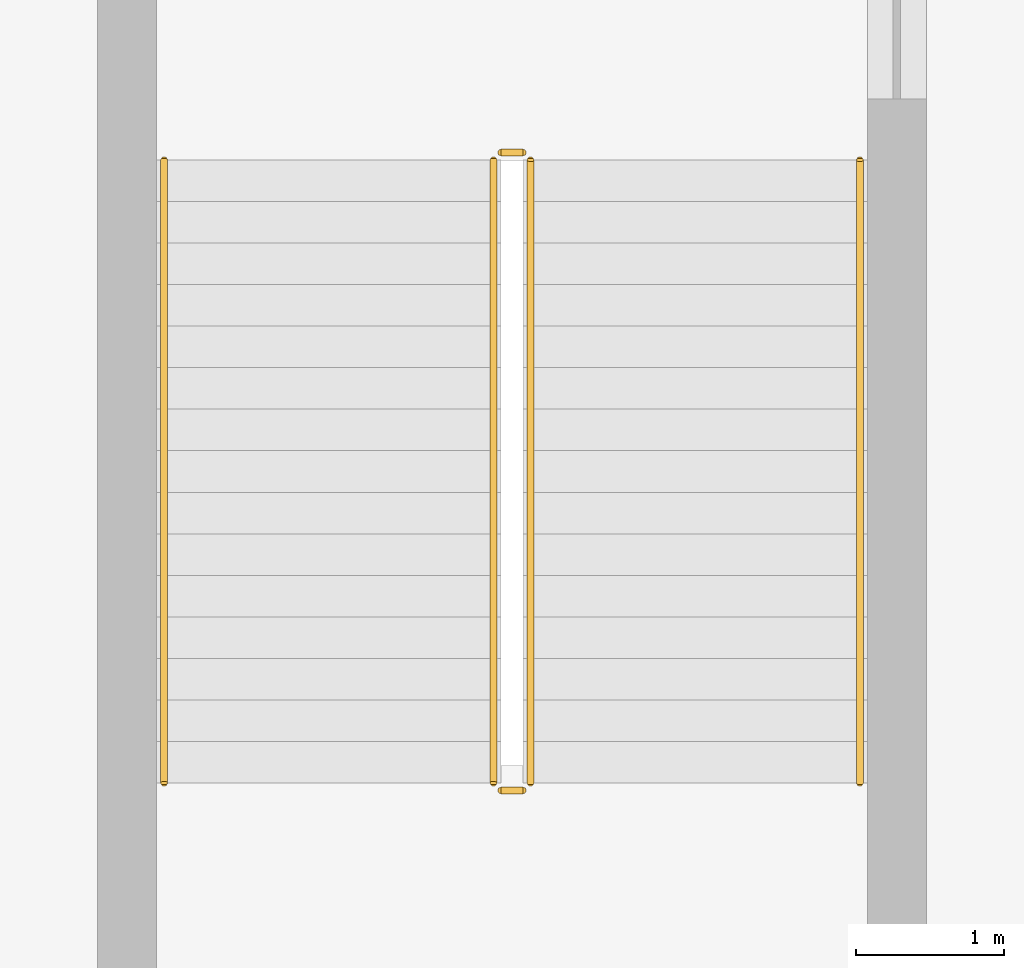
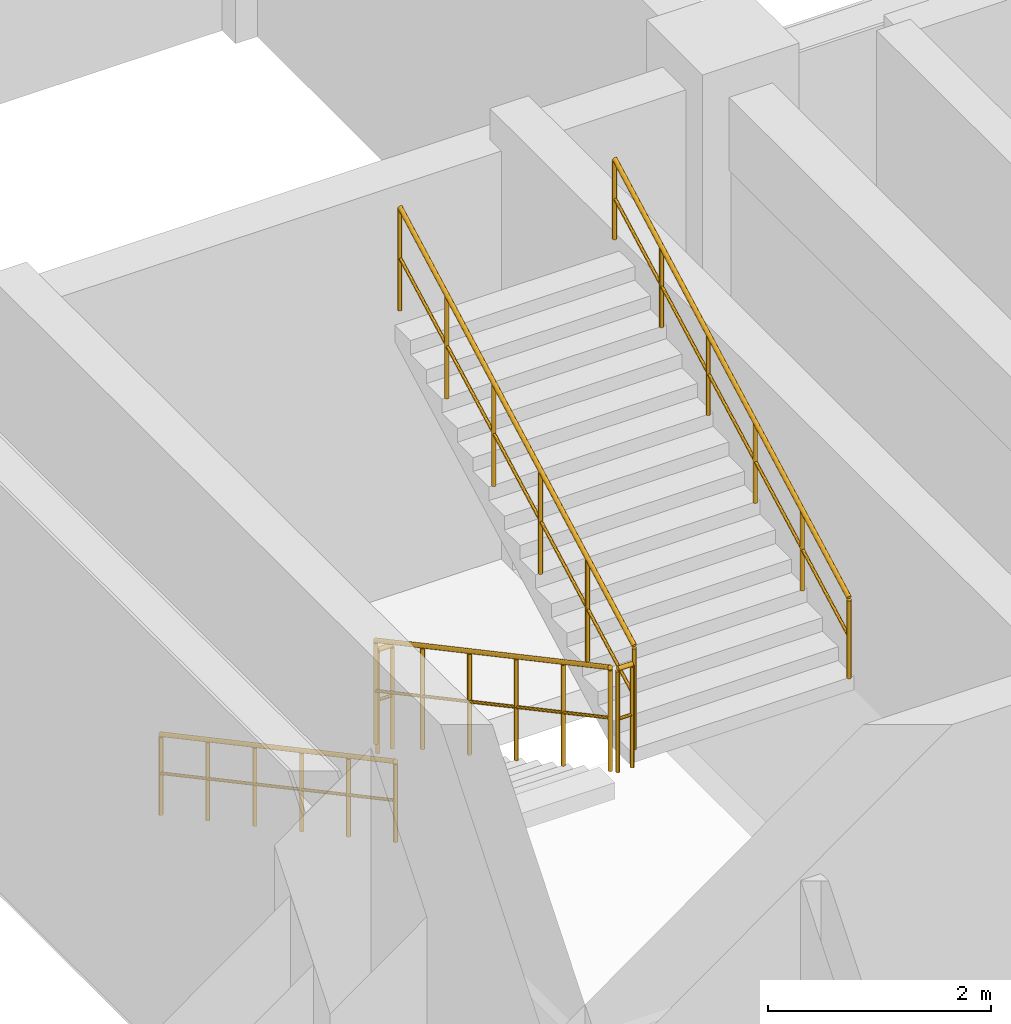
# One storey, part 19 of 19: 6 railings.
"""IFC4 building model written with IfcOpenShell, lengths in metres."""

from ifc_helpers import new_model, si_unit, derived_unit, direction, frame, origin, origin_2d, place, context, subcontext, project, spatial, circle, extrude, material, type_object, element, save


model = new_model("IFC4")

# Units and contexts
model_context = context("Model", 3, precision=1e-05, world=origin(), true_north=direction((0.0, 1.0)))
body_context = subcontext(model_context, "Body", "Model", "MODEL_VIEW")
ifc_project = project(units=[si_unit("LENGTHUNIT", "METRE"), si_unit("AREAUNIT", "SQUARE_METRE"), si_unit("VOLUMEUNIT", "CUBIC_METRE"), si_unit("PLANEANGLEUNIT", "RADIAN"), si_unit("MASSUNIT", "GRAM", prefix="KILO"), derived_unit("THERMALTRANSMITTANCEUNIT", [(si_unit("MASSUNIT", "GRAM", prefix="KILO"), 1), (si_unit("TIMEUNIT", "SECOND"), -3), (si_unit("THERMODYNAMICTEMPERATUREUNIT", "KELVIN"), -1)])], contexts=[model_context])

# Site, building, storey
site_placement = place(None, origin())
site = spatial("IfcSite", under=ifc_project, at=site_placement, CompositionType="ELEMENT")
building_placement = place(site_placement, origin())
building = spatial("IfcBuilding", under=site, at=building_placement, Name="Qinzheling Arcade Emporium", CompositionType="ELEMENT")
storey_placement = place(building_placement, frame((0.0, 0.0, -4.800048828125)))
storey = spatial("IfcBuildingStorey", under=building, at=storey_placement, Name="B1", CompositionType="ELEMENT", Elevation=-4.800048828125)

# Railings
ifc_material_1 = material(Name="Galvanised powder-coated tubular steel", Category="steel")
railing_type_1 = type_object("IfcRailingType", Name="Painted Steel Stairwell Guard Railing 1150", PredefinedType="GUARDRAIL", material=ifc_material_1)
railing_1_placement = place(storey_placement, frame((38.570068359375, 71.47998046875, 0.150146484375)))
element("IfcRailing", 1, at=railing_1_placement, inside=storey, type_object=railing_type_1, Name="B1 ST03 stair guard 1", PredefinedType="GUARDRAIL", context=body_context, shape_type="SweptSolid", body=[
    extrude(circle(Radius=0.02392578125, at=origin_2d()), frame((0.0, 0.0, 1.1259765625), z_axis=(0.0, -0.881477684796, 0.472225678258), x_axis=(1.0, 0.0, 0.0)), (0.0, 0.0, 1.0), 4.7646484375),
    extrude(circle(Radius=0.01611328125, at=origin_2d()), frame((0.0, 0.0, 0.574951171875), z_axis=(0.0, -0.881477684796, 0.472225678258), x_axis=(1.0, 0.0, 0.0)), (0.0, 0.0, 1.0), 4.7646484375),
    extrude(circle(Radius=0.02099609375, at=origin_2d()), origin(), (0.0, 0.0, 1.0), 1.101806640625),
    extrude(circle(Radius=0.02099609375, at=origin_2d()), frame((0.0, -0.840087890625, 0.449951171875)), (0.0, 0.0, 1.0), 1.101806640625),
    extrude(circle(Radius=0.02099609375, at=origin_2d()), frame((0.0, -1.679931640625, 0.89990234375)), (0.0, 0.0, 1.0), 1.101806640625),
    extrude(circle(Radius=0.02099609375, at=origin_2d()), frame((0.0, -2.52001953125, 1.35009765625)), (0.0, 0.0, 1.0), 1.101806640625),
    extrude(circle(Radius=0.02099609375, at=origin_2d()), frame((0.0, -3.35986328125, 1.800048828125)), (0.0, 0.0, 1.0), 1.101806640625),
    extrude(circle(Radius=0.02099609375, at=origin_2d()), frame((0.0, -4.199951171875, 2.25)), (0.0, 0.0, 1.0), 1.101806640625),
])
railing_2_placement = place(storey_placement, frame((38.6201171875, 67.22998046875, 2.400146484375)))
element("IfcRailing", 2, at=railing_2_placement, inside=storey, type_object=railing_type_1, Name="B1 ST03 stair guard 2", PredefinedType="GUARDRAIL", context=body_context, shape_type="SweptSolid", body=[
    extrude(circle(Radius=0.02392578125, at=origin_2d()), frame((0.0, 0.0, 1.1259765625), z_axis=(1.0, 0.0, 0.0), x_axis=(0.0, 1.0, 0.0)), (0.0, 0.0, 1.0), 0.14990234375),
    extrude(circle(Radius=0.01611328125, at=origin_2d()), frame((0.0, 0.0, 0.574951171875), z_axis=(1.0, 0.0, 0.0), x_axis=(0.0, 1.0, 0.0)), (0.0, 0.0, 1.0), 0.14990234375),
    extrude(circle(Radius=0.02099609375, at=origin_2d()), origin(), (0.0, 0.0, 1.0), 1.101806640625),
    extrude(circle(Radius=0.02099609375, at=origin_2d()), frame((0.14990234375, 0.0, 0.0)), (0.0, 0.0, 1.0), 1.101806640625),
])
railing_3_placement = place(storey_placement, frame((38.820068359375, 67.280029296875, 2.550048828125)))
element("IfcRailing", 3, at=railing_3_placement, inside=storey, type_object=railing_type_1, Name="B1 ST03 stair guard 3", PredefinedType="GUARDRAIL", context=body_context, shape_type="SweptSolid", body=[
    extrude(circle(Radius=0.02392578125, at=origin_2d()), frame((0.0, 0.0, 1.1259765625), z_axis=(0.0, 0.881477684796, 0.472225678258), x_axis=(-1.0, 0.0, 0.0)), (0.0, 0.0, 1.0), 4.7646484375),
    extrude(circle(Radius=0.01611328125, at=origin_2d()), frame((0.0, 0.0, 0.574951171875), z_axis=(0.0, 0.881477684796, 0.472225678258), x_axis=(-1.0, 0.0, 0.0)), (0.0, 0.0, 1.0), 4.7646484375),
    extrude(circle(Radius=0.02099609375, at=origin_2d()), origin(), (0.0, 0.0, 1.0), 1.101806640625),
    extrude(circle(Radius=0.02099609375, at=origin_2d()), frame((0.0, 0.840087890625, 0.449951171875)), (0.0, 0.0, 1.0), 1.101806640625),
    extrude(circle(Radius=0.02099609375, at=origin_2d()), frame((0.0, 1.679931640625, 0.89990234375)), (0.0, 0.0, 1.0), 1.101806640625),
    extrude(circle(Radius=0.02099609375, at=origin_2d()), frame((0.0, 2.52001953125, 1.35009765625)), (0.0, 0.0, 1.0), 1.101806640625),
    extrude(circle(Radius=0.02099609375, at=origin_2d()), frame((0.0, 3.35986328125, 1.800048828125)), (0.0, 0.0, 1.0), 1.101806640625),
    extrude(circle(Radius=0.02099609375, at=origin_2d()), frame((0.0, 4.199951171875, 2.25)), (0.0, 0.0, 1.0), 1.101806640625),
])
railing_4_placement = place(storey_placement, frame((38.6201171875, 71.530029296875, 0.0)))
element("IfcRailing", 4, at=railing_4_placement, inside=storey, type_object=railing_type_1, Name="B1 ST03 stair guard 4", PredefinedType="GUARDRAIL", context=body_context, shape_type="SweptSolid", body=[
    extrude(circle(Radius=0.02392578125, at=origin_2d()), frame((0.0, 0.0, 1.1259765625), z_axis=(1.0, 0.0, 0.0), x_axis=(0.0, 1.0, 0.0)), (0.0, 0.0, 1.0), 0.14990234375),
    extrude(circle(Radius=0.01611328125, at=origin_2d()), frame((0.0, 0.0, 0.574951171875), z_axis=(1.0, 0.0, 0.0), x_axis=(0.0, 1.0, 0.0)), (0.0, 0.0, 1.0), 0.14990234375),
    extrude(circle(Radius=0.02099609375, at=origin_2d()), origin(), (0.0, 0.0, 1.0), 1.101806640625),
    extrude(circle(Radius=0.02099609375, at=origin_2d()), frame((0.14990234375, 0.0, 0.0)), (0.0, 0.0, 1.0), 1.101806640625),
])
ifc_material_2 = material(Name="Brushed stainless steel 304", Category="steel")
railing_type_2 = type_object("IfcRailingType", Name="Stainless Steel Wall Handrail 900", PredefinedType="HANDRAIL", material=ifc_material_2)
railing_5_placement = place(storey_placement, frame((36.35009765625, 71.47998046875, 0.150146484375)))
element("IfcRailing", 5, at=railing_5_placement, inside=storey, type_object=railing_type_2, Name="B1 ST03 stair handrail 1", PredefinedType="HANDRAIL", context=body_context, shape_type="SweptSolid", body=[
    extrude(circle(Radius=0.02392578125, at=origin_2d()), frame((0.0, 0.0, 0.8759765625), z_axis=(0.0, -0.881477684796, 0.472225678258), x_axis=(1.0, 0.0, 0.0)), (0.0, 0.0, 1.0), 4.7646484375),
    extrude(circle(Radius=0.01611328125, at=origin_2d()), frame((0.0, 0.0, 0.449951171875), z_axis=(0.0, -0.881477684796, 0.472225678258), x_axis=(1.0, 0.0, 0.0)), (0.0, 0.0, 1.0), 4.7646484375),
    extrude(circle(Radius=0.02099609375, at=origin_2d()), origin(), (0.0, 0.0, 1.0), 0.851806640625),
    extrude(circle(Radius=0.02099609375, at=origin_2d()), frame((0.0, -0.840087890625, 0.449951171875)), (0.0, 0.0, 1.0), 0.851806640625),
    extrude(circle(Radius=0.02099609375, at=origin_2d()), frame((0.0, -1.679931640625, 0.89990234375)), (0.0, 0.0, 1.0), 0.851806640625),
    extrude(circle(Radius=0.02099609375, at=origin_2d()), frame((0.0, -2.52001953125, 1.35009765625)), (0.0, 0.0, 1.0), 0.851806640625),
    extrude(circle(Radius=0.02099609375, at=origin_2d()), frame((0.0, -3.35986328125, 1.800048828125)), (0.0, 0.0, 1.0), 0.851806640625),
    extrude(circle(Radius=0.02099609375, at=origin_2d()), frame((0.0, -4.199951171875, 2.25)), (0.0, 0.0, 1.0), 0.851806640625),
])
railing_6_placement = place(storey_placement, frame((41.0400390625, 67.280029296875, 2.550048828125)))
element("IfcRailing", 6, at=railing_6_placement, inside=storey, type_object=railing_type_2, Name="B1 ST03 stair handrail 2", PredefinedType="HANDRAIL", context=body_context, shape_type="SweptSolid", body=[
    extrude(circle(Radius=0.02392578125, at=origin_2d()), frame((0.0, 0.0, 0.8759765625), z_axis=(0.0, 0.881477684796, 0.472225678258), x_axis=(-1.0, 0.0, 0.0)), (0.0, 0.0, 1.0), 4.7646484375),
    extrude(circle(Radius=0.01611328125, at=origin_2d()), frame((0.0, 0.0, 0.449951171875), z_axis=(0.0, 0.881477684796, 0.472225678258), x_axis=(-1.0, 0.0, 0.0)), (0.0, 0.0, 1.0), 4.7646484375),
    extrude(circle(Radius=0.02099609375, at=origin_2d()), origin(), (0.0, 0.0, 1.0), 0.851806640625),
    extrude(circle(Radius=0.02099609375, at=origin_2d()), frame((0.0, 0.840087890625, 0.449951171875)), (0.0, 0.0, 1.0), 0.851806640625),
    extrude(circle(Radius=0.02099609375, at=origin_2d()), frame((0.0, 1.679931640625, 0.89990234375)), (0.0, 0.0, 1.0), 0.851806640625),
    extrude(circle(Radius=0.02099609375, at=origin_2d()), frame((0.0, 2.52001953125, 1.35009765625)), (0.0, 0.0, 1.0), 0.851806640625),
    extrude(circle(Radius=0.02099609375, at=origin_2d()), frame((0.0, 3.35986328125, 1.800048828125)), (0.0, 0.0, 1.0), 0.851806640625),
    extrude(circle(Radius=0.02099609375, at=origin_2d()), frame((0.0, 4.199951171875, 2.25)), (0.0, 0.0, 1.0), 0.851806640625),
])

save(model, "model.ifc")
